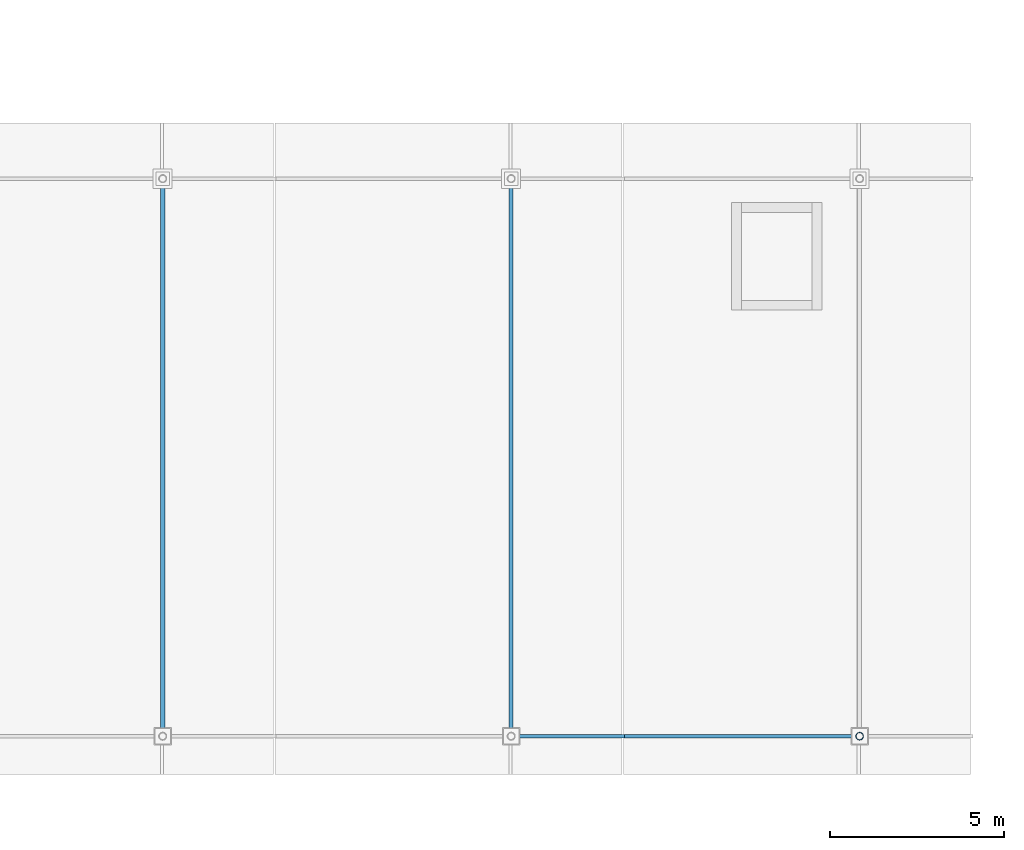
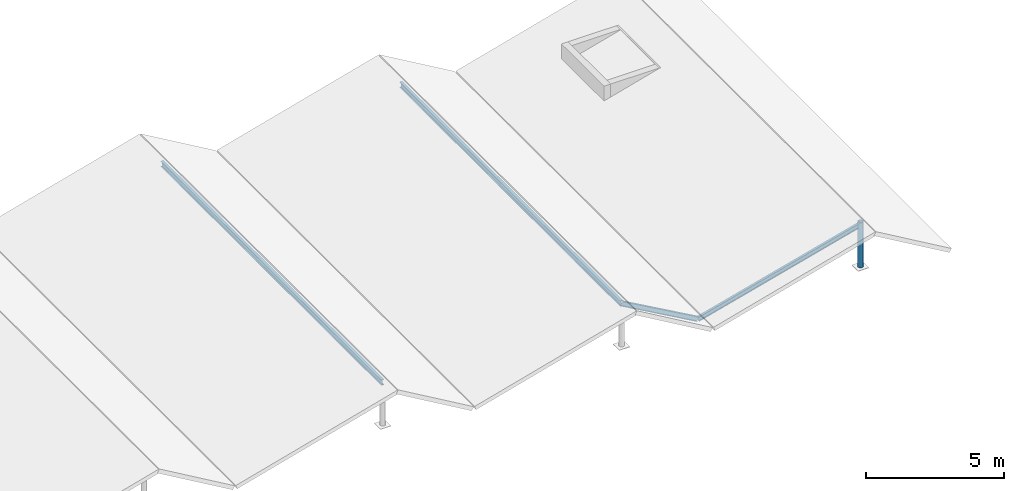
# One storey, part 6 of 70: 4 beams, 1 member.
"""IFC4 building model written with IfcOpenShell, lengths in metres."""

from ifc_helpers import new_model, si_unit, direction, frame, origin, origin_2d, place, context, subcontext, project, spatial, hollow_circle, i_section, extrude, material, material_profile, profile_set, type_object, element, save


model = new_model("IFC4")

# Units and contexts
model_context = context("Model", 3, precision=1e-05, world=origin(), true_north=direction((0.0, 1.0)))
body_context = subcontext(model_context, "Body", "Model", "MODEL_VIEW")
ifc_project = project(units=[si_unit("LENGTHUNIT", "METRE"), si_unit("AREAUNIT", "SQUARE_METRE"), si_unit("VOLUMEUNIT", "CUBIC_METRE"), si_unit("PLANEANGLEUNIT", "RADIAN"), si_unit("MASSUNIT", "GRAM", prefix="KILO")], contexts=[model_context])

# Site, building, storey
site_placement = place(None, origin())
site = spatial("IfcSite", under=ifc_project, at=site_placement, CompositionType="ELEMENT")
building_placement = place(site_placement, origin())
building = spatial("IfcBuilding", under=site, at=building_placement, Name="Zimvara Arc Housing Community", CompositionType="ELEMENT")
storey_placement = place(building_placement, frame((0.0, 0.0, 8.10009765625)))
storey = spatial("IfcBuildingStorey", under=building, at=storey_placement, Name="L02", CompositionType="ELEMENT", Elevation=8.10009765625)

# Beams
ifc_material_1 = material(Name="Steel S355", Category="steel")
ifc_material_profile_1 = material_profile(ifc_material_1, i_section(OverallWidth=0.10009765625, OverallDepth=0.199951171875, WebThickness=0.005615234375, FlangeThickness=0.008544921875, FilletRadius=0.011962890625, at=origin_2d()), Name="IPE 200")
ifc_profile_set_1 = profile_set([ifc_material_profile_1], Name="Steel S355")
beam_type_1 = type_object("IfcBeamType", Name="BM-ST-IPE200", PredefinedType="JOIST", material=ifc_profile_set_1)
beam_1_placement = place(storey_placement, frame((44.800048828125, 3.60009765625, 1.119873046875), z_axis=(0.870400769077, 0.0, -0.492343885095), x_axis=(0.0, 1.0, 0.0)))
element("IfcBeam", 1, at=beam_1_placement, inside=storey, type_object=beam_type_1, Name="bm:shops:L02:raf_e:b4:y0", PredefinedType="JOIST", context=body_context, shape_type="SweptSolid", body=[
    extrude(i_section(OverallWidth=0.10009765625, OverallDepth=0.199951171875, WebThickness=0.005615234375, FlangeThickness=0.008544921875, FilletRadius=0.011962890625, at=origin_2d()), origin(), (0.0, 0.0, 1.0), 3.676513671875),
])
beam_2_placement = place(storey_placement, frame((48.0, 3.60009765625, -0.690185546875), z_axis=(0.966351161922, 0.0, 0.257226421373), x_axis=(0.0, 1.0, 0.0)))
element("IfcBeam", 2, at=beam_2_placement, inside=storey, type_object=beam_type_1, Name="bm:shops:L02:raf_w:b5:y0", PredefinedType="JOIST", context=body_context, shape_type="SweptSolid", body=[
    extrude(i_section(OverallWidth=0.10009765625, OverallDepth=0.199951171875, WebThickness=0.005615234375, FlangeThickness=0.008544921875, FilletRadius=0.011962890625, at=origin_2d()), origin(), (0.0, 0.0, 1.0), 7.036865234375),
])
ifc_material_2 = material(Name="Steel S355", Category="steel")
ifc_material_profile_2 = material_profile(ifc_material_2, i_section(OverallWidth=0.1201171875, OverallDepth=0.239990234375, WebThickness=0.006103515625, FlangeThickness=0.009765625, FilletRadius=0.014892578125, at=origin_2d()), Name="IPE 240")
ifc_profile_set_2 = profile_set([ifc_material_profile_2], Name="Steel S355")
beam_type_2 = type_object("IfcBeamType", Name="BM-ST-IPE240", PredefinedType="JOIST", material=ifc_profile_set_2)
for number, where, z_axis, x_axis, name in (
    (3, (34.800048828125, 3.60009765625, 1.119873046875), (0.0, 1.0, 0.0), (-1.0, 0.0, 0.0), "bm:shops:L02:crest_bm:b3"),
    (4, (44.800048828125, 3.60009765625, 1.119873046875), (0.0, 1.0, 0.0), (-1.0, 0.0, 0.0), "bm:shops:L02:crest_bm:b4"),
):
    element("IfcBeam", number, at=place(storey_placement, frame(where, z_axis=z_axis, x_axis=x_axis)), inside=storey, type_object=beam_type_2, Name=name, PredefinedType="JOIST", context=body_context, shape_type="SweptSolid", body=[
        extrude(i_section(OverallWidth=0.1201171875, OverallDepth=0.239990234375, WebThickness=0.006103515625, FlangeThickness=0.009765625, FilletRadius=0.014892578125, at=origin_2d()), origin(), (0.0, 0.0, 1.0), 16.0),
    ])

# Member
ifc_material_3 = material(Name="Steel S355", Category="steel")
ifc_material_profile_3 = material_profile(ifc_material_3, hollow_circle(Radius=0.109619140625, WallThickness=0.008056640625, at=origin_2d()), Name="CHS 219.1x8.0")
ifc_profile_set_3 = profile_set([ifc_material_profile_3], Name="Steel S355")
member_type = type_object("IfcMemberType", Name="MB-STRUT-CHS219", PredefinedType="STRUT", material=ifc_profile_set_3)
member_placement = place(storey_placement, frame((54.800048828125, 3.60009765625, -0.75), z_axis=(0.0, 0.0, 1.0), x_axis=(1.0, 0.0, 0.0)))
element("IfcMember", 5, at=member_placement, inside=storey, type_object=member_type, Name="mb:shops:L02:crest_strut:b5:y0", PredefinedType="STRUT", context=body_context, shape_type="SweptSolid", body=[
    extrude(hollow_circle(Radius=0.109619140625, WallThickness=0.008056640625, at=origin_2d()), origin(), (0.0, 0.0, 1.0), 2.0),
])

save(model, "model.ifc")
